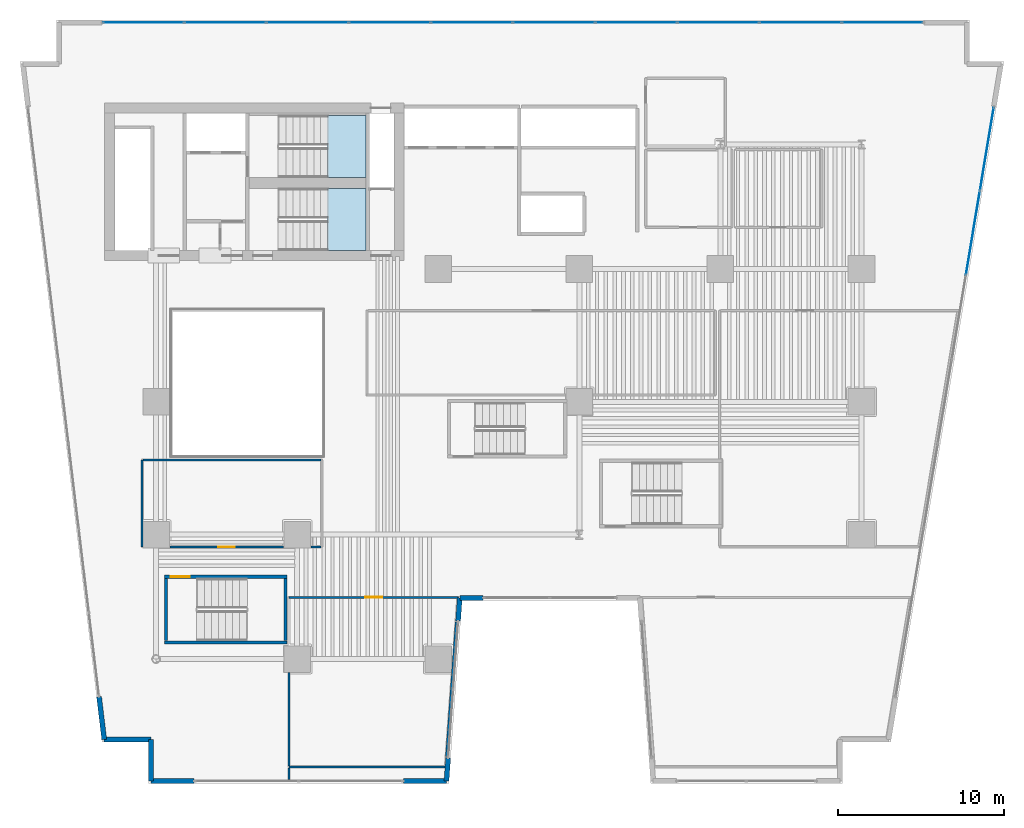
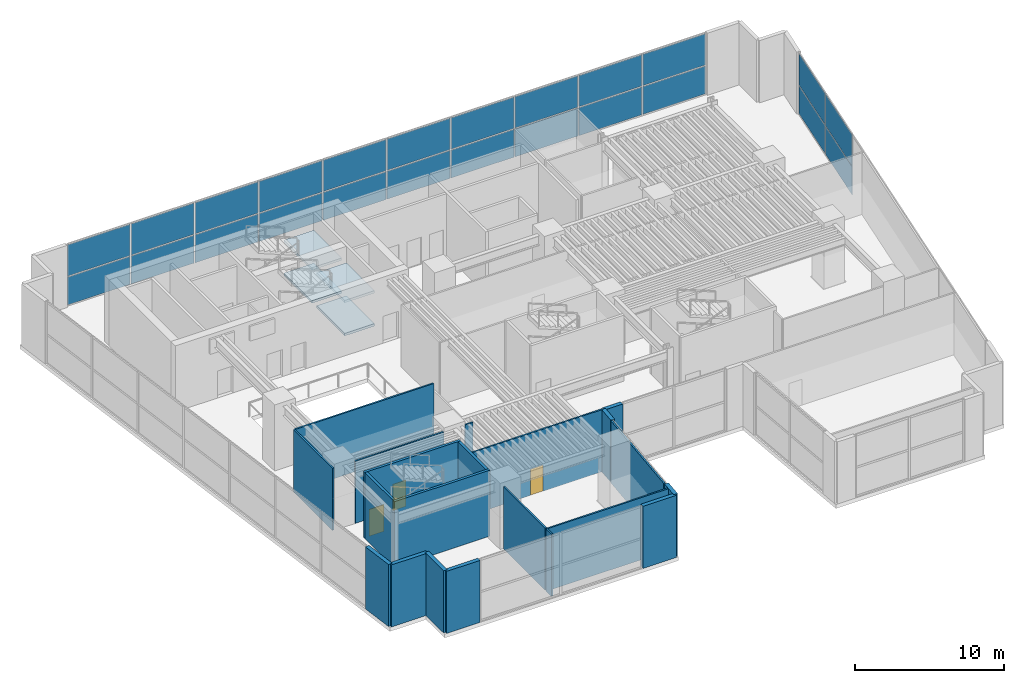
# One storey, part 8 of 16: 24 plates, 21 walls, 4 slabs, 3 doors, 3 openings, 4 elements without a shape of their own.
"""IFC4 building model written with IfcOpenShell, lengths in metres."""

import ifcopenshell
import ifcopenshell.guid

model = None  # the IFC model being written
_history = None  # IfcOwnerHistory: only IFC2X3 demands one
_inside = {}  # id of a spatial element -> (the spatial element, [elements in it])
_under = {}  # id of a project, library or spatial element -> (it, [spatial elements below it])
_declared = {}  # id of a project -> (the project, [libraries it declares])
_typed = {}  # id of a type object -> (the type object, [elements of that type])
_made_of = {}  # id of a material, layer set ... -> (it, [elements and type objects made of it])


def new_model(schema):
    """Start an empty IFC model of exactly this schema.

    Asked for "IFC4X3", IfcOpenShell would pick the latest addendum, in which some entities
    have other attributes; the version numbers below select the first issue.
    IFC2X3 requires an IfcOwnerHistory on every rooted entity: one is made here for all.
    """
    global model, _history
    if schema == "IFC4X3":
        model = ifcopenshell.file(schema_version=(4, 3, 0, 0))
    else:
        model = ifcopenshell.file(schema=schema)
    _inside.clear()
    _under.clear()
    _declared.clear()
    _typed.clear()
    _made_of.clear()
    _history = None
    if model.schema == "IFC2X3":
        org = make("IfcOrganization", Name="unknown")
        user = make(
            "IfcPersonAndOrganization",
            ThePerson=make("IfcPerson", FamilyName="unknown"),
            TheOrganization=org,
        )
        app = make(
            "IfcApplication",
            ApplicationDeveloper=org,
            Version="unknown",
            ApplicationFullName="unknown",
            ApplicationIdentifier="unknown",
        )
        _history = make(
            "IfcOwnerHistory",
            OwningUser=user,
            OwningApplication=app,
            ChangeAction="ADDED",
            CreationDate=0,
        )
    return model


def make(cls, **values):
    """One entity of the class cls with the attributes given. An attribute that is None is left unset."""
    return model.create_entity(
        cls, **{name: value for name, value in values.items() if value is not None}
    )


def rooted(cls, **values):
    """An entity with a GlobalId (a new one), such as an element, a storey or a relation."""
    return make(cls, GlobalId=ifcopenshell.guid.new(), OwnerHistory=_history, **values)


def si_unit(unit_type, name, prefix=None):
    """IfcSIUnit, for example si_unit("LENGTHUNIT", "METRE", prefix="MILLI")."""
    return make("IfcSIUnit", UnitType=unit_type, Prefix=prefix, Name=name)


def assignment(units):
    """IfcUnitAssignment: the units of a project."""
    return None if units is None else make("IfcUnitAssignment", Units=units)


def point(xyz):
    """IfcCartesianPoint."""
    return None if xyz is None else make("IfcCartesianPoint", Coordinates=xyz)


def direction(xyz):
    """IfcDirection."""
    return None if xyz is None else make("IfcDirection", DirectionRatios=xyz)


def frame(location, z_axis=None, x_axis=None):
    """IfcAxis2Placement3D, a coordinate frame: its origin and axes. An axis left out is left unset."""
    return make(
        "IfcAxis2Placement3D",
        Location=point(location),
        Axis=direction(z_axis),
        RefDirection=direction(x_axis),
    )


def frame_2d(location, x_axis=None):
    """IfcAxis2Placement2D, a coordinate frame in the plane: its origin and x axis."""
    return make(
        "IfcAxis2Placement2D", Location=point(location), RefDirection=direction(x_axis)
    )


def origin():
    """The frame at (0, 0, 0) with its axes left unset."""
    return frame((0.0, 0.0, 0.0))


def origin_2d():
    """The frame at (0, 0) in the plane with its x axis left unset."""
    return frame_2d((0.0, 0.0))


def place(relative_to, where):
    """IfcLocalPlacement: puts the frame where relative to a parent placement (None: the world)."""
    return make(
        "IfcLocalPlacement", PlacementRelTo=relative_to, RelativePlacement=where
    )


def context(
    kind, dimensions, precision=None, world=None, true_north=None, identifier=None
):
    """IfcGeometricRepresentationContext, for example the 3D "Model" context."""
    return make(
        "IfcGeometricRepresentationContext",
        ContextIdentifier=identifier,
        ContextType=kind,
        CoordinateSpaceDimension=dimensions,
        Precision=precision,
        WorldCoordinateSystem=world,
        TrueNorth=true_north,
    )


def subcontext(parent, identifier, kind, view, scale=None):
    """IfcGeometricRepresentationSubContext, for example "Body" below "Model"."""
    return make(
        "IfcGeometricRepresentationSubContext",
        ContextIdentifier=identifier,
        ContextType=kind,
        ParentContext=parent,
        TargetScale=scale,
        TargetView=view,
    )


def project(units=None, contexts=None):
    """IfcProject with its units and contexts."""
    return rooted(
        "IfcProject",
        Name="project",
        RepresentationContexts=contexts,
        UnitsInContext=assignment(units),
    )


def spatial(cls, under=None, at=None, **own):
    """A site, building, storey or space (cls), placed at a placement, below another one or the project."""
    s = rooted(cls, ObjectPlacement=at, **own)
    if under is not None:
        _under.setdefault(under.id(), (under, []))[1].append(s)
    return s


def polyline(points):
    """IfcPolyline through the points."""
    return make("IfcPolyline", Points=[point(p) for p in points])


def profile(cls, at=None, kind="AREA", **sizes):
    """A parametric profile (cls). Its sizes go by their IFC names, for example OverallWidth=200.0."""
    return make(cls, ProfileType=kind, Position=at, **sizes)


def rectangle(**sizes):
    """IfcRectangleProfileDef."""
    return profile("IfcRectangleProfileDef", **sizes)


def outline(outer, holes=None, kind="AREA"):
    """IfcArbitraryClosedProfileDef: a profile drawn as a closed curve; with holes, ...WithVoids."""
    if holes is None:
        return make("IfcArbitraryClosedProfileDef", ProfileType=kind, OuterCurve=outer)
    return make(
        "IfcArbitraryProfileDefWithVoids",
        ProfileType=kind,
        OuterCurve=outer,
        InnerCurves=holes,
    )


def extrude(swept, where, along, depth):
    """IfcExtrudedAreaSolid: the profile swept, set in the frame where, extruded along a direction by depth."""
    return make(
        "IfcExtrudedAreaSolid",
        SweptArea=swept,
        Position=where,
        ExtrudedDirection=direction(along),
        Depth=depth,
    )


def shape(context_of_items, identifier, shape_type, items):
    """IfcShapeRepresentation: the items that make up one representation, for example the "Body"."""
    return make(
        "IfcShapeRepresentation",
        ContextOfItems=context_of_items,
        RepresentationIdentifier=identifier,
        RepresentationType=shape_type,
        Items=items,
    )


def material(Name=None, Category=None):
    """IfcMaterial."""
    return make("IfcMaterial", Name=Name, Category=Category)


def layer(
    of_material, thickness, ventilated=None, Name=None, Category=None, Priority=None
):
    """IfcMaterialLayer: one layer of a wall or slab, of a material (None: an air gap)."""
    return make(
        "IfcMaterialLayer",
        Material=of_material,
        LayerThickness=thickness,
        IsVentilated=ventilated,
        Name=Name,
        Category=Category,
        Priority=Priority,
    )


def layer_set(layers, Name=None):
    """IfcMaterialLayerSet."""
    return make("IfcMaterialLayerSet", MaterialLayers=layers, LayerSetName=Name)


def made_of(thing, what):
    """Note that an element or type object is made of a material, layer set ...; save() writes the relation."""
    if what is not None:
        _made_of.setdefault(what.id(), (what, []))[1].append(thing)
    return thing


def type_object(cls, material=None, **own):
    """A type object (cls), such as IfcWallType, which elements share."""
    return made_of(rooted(cls, **own), material)


def element(
    cls,
    number,
    at=None,
    inside=None,
    cuts=None,
    type_object=None,
    material=None,
    context=None,
    identifier="Body",
    shape_type=None,
    held_by="IfcProductDefinitionShape",
    body=None,
    shapes=None,
    **own,
):
    """One element of the class cls, such as IfcWall. Its Tag is "e" and its number.

    at: its placement. inside: the storey or other place that contains it. cuts: it is an
    opening in that element (IfcRelVoidsElement). A single representation is given by context,
    identifier, shape_type and body (its items); several are given by shapes. held_by: the class
    of the entity that holds the representations. save() writes the other relations.
    """
    e = rooted(cls, Tag="e%d" % number, ObjectPlacement=at, **own)
    if body is not None:
        shapes = [shape(context, identifier, shape_type, body)]
    if shapes is not None:
        e.Representation = make(held_by, Representations=shapes)
    if inside is not None:
        _inside.setdefault(inside.id(), (inside, []))[1].append(e)
    if cuts is not None:
        rooted(
            "IfcRelVoidsElement", RelatingBuildingElement=cuts, RelatedOpeningElement=e
        )
    if type_object is not None:
        _typed.setdefault(type_object.id(), (type_object, []))[1].append(e)
    return made_of(e, material)


def fill(opening, filler):
    """IfcRelFillsElement: the door or window that sits in an opening."""
    return rooted(
        "IfcRelFillsElement",
        RelatingOpeningElement=opening,
        RelatedBuildingElement=filler,
    )


def aggregate(whole, parts):
    """IfcRelAggregates: a whole, such as a stair, and the parts it consists of."""
    return rooted("IfcRelAggregates", RelatingObject=whole, RelatedObjects=parts)


def save(model, path):
    """Write the relations noted so far, then the file.

    IfcRelAggregates (storeys below a building ...), IfcRelContainedInSpatialStructure (elements
    in a storey), IfcRelDefinesByType, IfcRelAssociatesMaterial and IfcRelDeclares: one each for
    every whole, place, type object, material and project.
    """
    for whole, parts in _under.values():
        aggregate(whole, parts)
    for where, things in _inside.values():
        rooted(
            "IfcRelContainedInSpatialStructure",
            RelatedElements=things,
            RelatingStructure=where,
        )
    for kind, things in _typed.values():
        rooted("IfcRelDefinesByType", RelatedObjects=things, RelatingType=kind)
    for what, things in _made_of.values():
        rooted("IfcRelAssociatesMaterial", RelatedObjects=things, RelatingMaterial=what)
    for by, libraries in _declared.values():
        rooted("IfcRelDeclares", RelatingContext=by, RelatedDefinitions=libraries)
    model.write(path)


model = new_model("IFC4")

# Units and contexts
model_context = context("Model", 3, precision=1e-05, world=origin(), true_north=direction((0.0, 1.0)))
body_context = subcontext(model_context, "Body", "Model", "MODEL_VIEW")
ifc_project = project(units=[si_unit("LENGTHUNIT", "METRE"), si_unit("AREAUNIT", "SQUARE_METRE"), si_unit("VOLUMEUNIT", "CUBIC_METRE"), si_unit("PLANEANGLEUNIT", "RADIAN"), si_unit("MASSUNIT", "GRAM", prefix="KILO")], contexts=[model_context])

# Site, building, storey
site_placement = place(None, origin())
site = spatial("IfcSite", under=ifc_project, at=site_placement, CompositionType="ELEMENT")
building_placement = place(site_placement, origin())
building = spatial("IfcBuilding", under=site, at=building_placement, Name="Caeloran Harvest Quay", CompositionType="ELEMENT")
storey_placement = place(building_placement, frame((0.0, 0.0, 10.800048828125)))
storey = spatial("IfcBuildingStorey", under=building, at=storey_placement, Name="L03", CompositionType="ELEMENT", Elevation=10.800048828125)

# Curtain wall, plates
ifc_material_1 = material(Name="Aluminium 6063-T6 and Low-E Glazing", Category="aluminium")
ifc_layer_1 = layer(ifc_material_1, 0.179931640625, Name="Aluminium 6063-T6 and Low-E Glazing")
ifc_layer_set_1 = layer_set([ifc_layer_1], Name="Aluminium 6063-T6 and Low-E Glazing")
curtain_wall_type = type_object("IfcCurtainWallType", Name="CW-SYS-CW-1", PredefinedType="USERDEFINED", material=ifc_layer_set_1)
curtain_wall_1_placement = place(storey_placement, origin())
curtain_wall_1 = element("IfcCurtainWall", 1, at=curtain_wall_1_placement, inside=storey, type_object=curtain_wall_type, Name="L03 Unitised Curtain Wall CW-1 Run 6", ObjectType="CURTAIN_WALL", PredefinedType="USERDEFINED")
ifc_material_2 = material(Name="Low-E Double Glazed Vision Glass Unit", Category="glass")
ifc_layer_2 = layer(ifc_material_2, 0.035888671875, Name="Low-E Double Glazed Vision Glass Unit")
ifc_layer_set_2 = layer_set([ifc_layer_2], Name="Low-E Double Glazed Vision Glass Unit")
plate_type = type_object("IfcPlateType", Name="CW-VISION-PANEL", PredefinedType="CURTAIN_PANEL", material=ifc_layer_set_2)
plate_1_placement = place(storey_placement, frame((7.7451171875, 45.85009765625, 0.080078125), z_axis=(0.0, 0.0, 1.0), x_axis=(1.0, 0.0, 0.0)))
plate_1 = element("IfcPlate", 2, at=plate_1_placement, type_object=plate_type, Name="CW-1 panel 1.1", PredefinedType="CURTAIN_PANEL", context=body_context, shape_type="SweptSolid", body=[
    extrude(rectangle(XDim=4.830078125, YDim=0.035888671875, at=origin_2d()), origin(), (0.0, 0.0, 1.0), 2.280029296875),
])
plate_2_placement = place(storey_placement, frame((7.7451171875, 45.85009765625, 2.43994140625), z_axis=(0.0, 0.0, 1.0), x_axis=(1.0, 0.0, 0.0)))
plate_2 = element("IfcPlate", 3, at=plate_2_placement, type_object=plate_type, Name="CW-1 panel 1.2", PredefinedType="CURTAIN_PANEL", context=body_context, shape_type="SweptSolid", body=[
    extrude(rectangle(XDim=4.830078125, YDim=0.035888671875, at=origin_2d()), origin(), (0.0, 0.0, 1.0), 2.56005859375),
])
plate_3_placement = place(storey_placement, frame((12.675048828125, 45.85009765625, 0.080078125), z_axis=(0.0, 0.0, 1.0), x_axis=(1.0, 0.0, 0.0)))
plate_3 = element("IfcPlate", 4, at=plate_3_placement, type_object=plate_type, Name="CW-1 panel 2.1", PredefinedType="CURTAIN_PANEL", context=body_context, shape_type="SweptSolid", body=[
    extrude(rectangle(XDim=4.8701171875, YDim=0.035888671875, at=origin_2d()), origin(), (0.0, 0.0, 1.0), 2.280029296875),
])
plate_4_placement = place(storey_placement, frame((12.675048828125, 45.85009765625, 2.43994140625), z_axis=(0.0, 0.0, 1.0), x_axis=(1.0, 0.0, 0.0)))
plate_4 = element("IfcPlate", 5, at=plate_4_placement, type_object=plate_type, Name="CW-1 panel 2.2", PredefinedType="CURTAIN_PANEL", context=body_context, shape_type="SweptSolid", body=[
    extrude(rectangle(XDim=4.8701171875, YDim=0.035888671875, at=origin_2d()), origin(), (0.0, 0.0, 1.0), 2.56005859375),
])
plate_5_placement = place(storey_placement, frame((17.625, 45.85009765625, 0.080078125), z_axis=(0.0, 0.0, 1.0), x_axis=(1.0, 0.0, 0.0)))
plate_5 = element("IfcPlate", 6, at=plate_5_placement, type_object=plate_type, Name="CW-1 panel 3.1", PredefinedType="CURTAIN_PANEL", context=body_context, shape_type="SweptSolid", body=[
    extrude(rectangle(XDim=4.8701171875, YDim=0.035888671875, at=origin_2d()), origin(), (0.0, 0.0, 1.0), 2.280029296875),
])
plate_6_placement = place(storey_placement, frame((17.625, 45.85009765625, 2.43994140625), z_axis=(0.0, 0.0, 1.0), x_axis=(1.0, 0.0, 0.0)))
plate_6 = element("IfcPlate", 7, at=plate_6_placement, type_object=plate_type, Name="CW-1 panel 3.2", PredefinedType="CURTAIN_PANEL", context=body_context, shape_type="SweptSolid", body=[
    extrude(rectangle(XDim=4.8701171875, YDim=0.035888671875, at=origin_2d()), origin(), (0.0, 0.0, 1.0), 2.56005859375),
])
plate_7_placement = place(storey_placement, frame((22.574951171875, 45.85009765625, 0.080078125), z_axis=(0.0, 0.0, 1.0), x_axis=(1.0, 0.0, 0.0)))
plate_7 = element("IfcPlate", 8, at=plate_7_placement, type_object=plate_type, Name="CW-1 panel 4.1", PredefinedType="CURTAIN_PANEL", context=body_context, shape_type="SweptSolid", body=[
    extrude(rectangle(XDim=4.8701171875, YDim=0.035888671875, at=origin_2d()), origin(), (0.0, 0.0, 1.0), 2.280029296875),
])
plate_8_placement = place(storey_placement, frame((22.574951171875, 45.85009765625, 2.43994140625), z_axis=(0.0, 0.0, 1.0), x_axis=(1.0, 0.0, 0.0)))
plate_8 = element("IfcPlate", 9, at=plate_8_placement, type_object=plate_type, Name="CW-1 panel 4.2", PredefinedType="CURTAIN_PANEL", context=body_context, shape_type="SweptSolid", body=[
    extrude(rectangle(XDim=4.8701171875, YDim=0.035888671875, at=origin_2d()), origin(), (0.0, 0.0, 1.0), 2.56005859375),
])
plate_9_placement = place(storey_placement, frame((27.52490234375, 45.85009765625, 0.080078125), z_axis=(0.0, 0.0, 1.0), x_axis=(1.0, 0.0, 0.0)))
plate_9 = element("IfcPlate", 10, at=plate_9_placement, type_object=plate_type, Name="CW-1 panel 5.1", PredefinedType="CURTAIN_PANEL", context=body_context, shape_type="SweptSolid", body=[
    extrude(rectangle(XDim=4.8701171875, YDim=0.035888671875, at=origin_2d()), origin(), (0.0, 0.0, 1.0), 2.280029296875),
])
plate_10_placement = place(storey_placement, frame((27.52490234375, 45.85009765625, 2.43994140625), z_axis=(0.0, 0.0, 1.0), x_axis=(1.0, 0.0, 0.0)))
plate_10 = element("IfcPlate", 11, at=plate_10_placement, type_object=plate_type, Name="CW-1 panel 5.2", PredefinedType="CURTAIN_PANEL", context=body_context, shape_type="SweptSolid", body=[
    extrude(rectangle(XDim=4.8701171875, YDim=0.035888671875, at=origin_2d()), origin(), (0.0, 0.0, 1.0), 2.56005859375),
])
plate_11_placement = place(storey_placement, frame((32.47509765625, 45.85009765625, 0.080078125), z_axis=(0.0, 0.0, 1.0), x_axis=(1.0, 0.0, 0.0)))
plate_11 = element("IfcPlate", 12, at=plate_11_placement, type_object=plate_type, Name="CW-1 panel 6.1", PredefinedType="CURTAIN_PANEL", context=body_context, shape_type="SweptSolid", body=[
    extrude(rectangle(XDim=4.8701171875, YDim=0.035888671875, at=origin_2d()), origin(), (0.0, 0.0, 1.0), 2.280029296875),
])
plate_12_placement = place(storey_placement, frame((32.47509765625, 45.85009765625, 2.43994140625), z_axis=(0.0, 0.0, 1.0), x_axis=(1.0, 0.0, 0.0)))
plate_12 = element("IfcPlate", 13, at=plate_12_placement, type_object=plate_type, Name="CW-1 panel 6.2", PredefinedType="CURTAIN_PANEL", context=body_context, shape_type="SweptSolid", body=[
    extrude(rectangle(XDim=4.8701171875, YDim=0.035888671875, at=origin_2d()), origin(), (0.0, 0.0, 1.0), 2.56005859375),
])
plate_13_placement = place(storey_placement, frame((37.425048828125, 45.85009765625, 0.080078125), z_axis=(0.0, 0.0, 1.0), x_axis=(1.0, 0.0, 0.0)))
plate_13 = element("IfcPlate", 14, at=plate_13_placement, type_object=plate_type, Name="CW-1 panel 7.1", PredefinedType="CURTAIN_PANEL", context=body_context, shape_type="SweptSolid", body=[
    extrude(rectangle(XDim=4.8701171875, YDim=0.035888671875, at=origin_2d()), origin(), (0.0, 0.0, 1.0), 2.280029296875),
])
plate_14_placement = place(storey_placement, frame((37.425048828125, 45.85009765625, 2.43994140625), z_axis=(0.0, 0.0, 1.0), x_axis=(1.0, 0.0, 0.0)))
plate_14 = element("IfcPlate", 15, at=plate_14_placement, type_object=plate_type, Name="CW-1 panel 7.2", PredefinedType="CURTAIN_PANEL", context=body_context, shape_type="SweptSolid", body=[
    extrude(rectangle(XDim=4.8701171875, YDim=0.035888671875, at=origin_2d()), origin(), (0.0, 0.0, 1.0), 2.56005859375),
])
plate_15_placement = place(storey_placement, frame((42.375, 45.85009765625, 0.080078125), z_axis=(0.0, 0.0, 1.0), x_axis=(1.0, 0.0, 0.0)))
plate_15 = element("IfcPlate", 16, at=plate_15_placement, type_object=plate_type, Name="CW-1 panel 8.1", PredefinedType="CURTAIN_PANEL", context=body_context, shape_type="SweptSolid", body=[
    extrude(rectangle(XDim=4.8701171875, YDim=0.035888671875, at=origin_2d()), origin(), (0.0, 0.0, 1.0), 2.280029296875),
])
plate_16_placement = place(storey_placement, frame((42.375, 45.85009765625, 2.43994140625), z_axis=(0.0, 0.0, 1.0), x_axis=(1.0, 0.0, 0.0)))
plate_16 = element("IfcPlate", 17, at=plate_16_placement, type_object=plate_type, Name="CW-1 panel 8.2", PredefinedType="CURTAIN_PANEL", context=body_context, shape_type="SweptSolid", body=[
    extrude(rectangle(XDim=4.8701171875, YDim=0.035888671875, at=origin_2d()), origin(), (0.0, 0.0, 1.0), 2.56005859375),
])
plate_17_placement = place(storey_placement, frame((47.324951171875, 45.85009765625, 0.080078125), z_axis=(0.0, 0.0, 1.0), x_axis=(1.0, 0.0, 0.0)))
plate_17 = element("IfcPlate", 18, at=plate_17_placement, type_object=plate_type, Name="CW-1 panel 9.1", PredefinedType="CURTAIN_PANEL", context=body_context, shape_type="SweptSolid", body=[
    extrude(rectangle(XDim=4.8701171875, YDim=0.035888671875, at=origin_2d()), origin(), (0.0, 0.0, 1.0), 2.280029296875),
])
plate_18_placement = place(storey_placement, frame((47.324951171875, 45.85009765625, 2.43994140625), z_axis=(0.0, 0.0, 1.0), x_axis=(1.0, 0.0, 0.0)))
plate_18 = element("IfcPlate", 19, at=plate_18_placement, type_object=plate_type, Name="CW-1 panel 9.2", PredefinedType="CURTAIN_PANEL", context=body_context, shape_type="SweptSolid", body=[
    extrude(rectangle(XDim=4.8701171875, YDim=0.035888671875, at=origin_2d()), origin(), (0.0, 0.0, 1.0), 2.56005859375),
])
plate_19_placement = place(storey_placement, frame((52.2548828125, 45.85009765625, 0.080078125), z_axis=(0.0, 0.0, 1.0), x_axis=(1.0, 0.0, 0.0)))
plate_19 = element("IfcPlate", 20, at=plate_19_placement, type_object=plate_type, Name="CW-1 panel 10.1", PredefinedType="CURTAIN_PANEL", context=body_context, shape_type="SweptSolid", body=[
    extrude(rectangle(XDim=4.830078125, YDim=0.035888671875, at=origin_2d()), origin(), (0.0, 0.0, 1.0), 2.280029296875),
])
plate_20_placement = place(storey_placement, frame((52.2548828125, 45.85009765625, 2.43994140625), z_axis=(0.0, 0.0, 1.0), x_axis=(1.0, 0.0, 0.0)))
plate_20 = element("IfcPlate", 21, at=plate_20_placement, type_object=plate_type, Name="CW-1 panel 10.2", PredefinedType="CURTAIN_PANEL", context=body_context, shape_type="SweptSolid", body=[
    extrude(rectangle(XDim=4.830078125, YDim=0.035888671875, at=origin_2d()), origin(), (0.0, 0.0, 1.0), 2.56005859375),
])
aggregate(curtain_wall_1, [plate_1, plate_2, plate_3, plate_4, plate_5, plate_6, plate_7, plate_8, plate_9, plate_10, plate_11, plate_12, plate_13, plate_14, plate_15, plate_16, plate_17, plate_18, plate_19, plate_20])

curtain_wall_2_placement = place(storey_placement, origin())
curtain_wall_2 = element("IfcCurtainWall", 22, at=curtain_wall_2_placement, inside=storey, type_object=curtain_wall_type, Name="L03 Unitised Curtain Wall CW-1 Run 9", ObjectType="CURTAIN_WALL", PredefinedType="USERDEFINED")
plate_21_placement = place(storey_placement, frame((58.553955078125, 38.224853515625, 0.080078125), z_axis=(0.0, 0.0, 1.0), x_axis=(-0.164174131837, -0.986431373404, 0.0)))
plate_21 = element("IfcPlate", 23, at=plate_21_placement, type_object=plate_type, Name="CW-1 panel 1.1", PredefinedType="CURTAIN_PANEL", context=body_context, shape_type="SweptSolid", body=[
    extrude(rectangle(XDim=5.031494140625, YDim=0.035888671875, at=origin_2d()), origin(), (0.0, 0.0, 1.0), 2.280029296875),
])
plate_22_placement = place(storey_placement, frame((58.553955078125, 38.224853515625, 2.43994140625), z_axis=(0.0, 0.0, 1.0), x_axis=(-0.164174131837, -0.986431373404, 0.0)))
plate_22 = element("IfcPlate", 24, at=plate_22_placement, type_object=plate_type, Name="CW-1 panel 1.2", PredefinedType="CURTAIN_PANEL", context=body_context, shape_type="SweptSolid", body=[
    extrude(rectangle(XDim=5.031494140625, YDim=0.035888671875, at=origin_2d()), origin(), (0.0, 0.0, 1.0), 2.56005859375),
])
plate_23_placement = place(storey_placement, frame((57.71142578125, 33.1630859375, 0.080078125), z_axis=(0.0, 0.0, 1.0), x_axis=(-0.164174131837, -0.986431373404, 0.0)))
plate_23 = element("IfcPlate", 25, at=plate_23_placement, type_object=plate_type, Name="CW-1 panel 2.1", PredefinedType="CURTAIN_PANEL", context=body_context, shape_type="SweptSolid", body=[
    extrude(rectangle(XDim=5.071533203125, YDim=0.035888671875, at=origin_2d()), origin(), (0.0, 0.0, 1.0), 2.280029296875),
])
plate_24_placement = place(storey_placement, frame((57.71142578125, 33.1630859375, 2.43994140625), z_axis=(0.0, 0.0, 1.0), x_axis=(-0.164174131837, -0.986431373404, 0.0)))
plate_24 = element("IfcPlate", 26, at=plate_24_placement, type_object=plate_type, Name="CW-1 panel 2.2", PredefinedType="CURTAIN_PANEL", context=body_context, shape_type="SweptSolid", body=[
    extrude(rectangle(XDim=5.071533203125, YDim=0.035888671875, at=origin_2d()), origin(), (0.0, 0.0, 1.0), 2.56005859375),
])
aggregate(curtain_wall_2, [plate_21, plate_22, plate_23, plate_24])

# Stair, slabs
ifc_material_3 = material(Name="Concrete C50/60", Category="concrete")
stair_type = type_object("IfcStairType", Name="STAIR-STC-180", PredefinedType="HALF_TURN_STAIR", material=ifc_material_3)
stair_1_placement = place(storey_placement, origin())
stair_1 = element("IfcStair", 27, at=stair_1_placement, inside=storey, type_object=stair_type, Name="L03 Core Pressurized Exit Stair ST-C1", PredefinedType="HALF_TURN_STAIR")
ifc_layer_3 = layer(ifc_material_3, 0.219970703125, Name="Concrete C50/60")
ifc_layer_set_3 = layer_set([ifc_layer_3], Name="Concrete C50/60")
slab_type = type_object("IfcSlabType", Name="STAIR-LANDING-220", PredefinedType="LANDING", material=ifc_layer_set_3)
slab_1_placement = place(storey_placement, frame((0.0, 0.0, 1.14990234375)))
slab_1 = element("IfcSlab", 28, at=slab_1_placement, type_object=slab_type, Name="ST-C1 landing 1", PredefinedType="LANDING", context=body_context, shape_type="SweptSolid", body=[
    extrude(outline(polyline([(18.840087890625, 36.5), (21.14990234375, 36.5), (21.14990234375, 40.25), (18.840087890625, 40.25), (18.840087890625, 36.5)])), origin(), (0.0, 0.0, 1.0), 0.199951171875),
])
slab_2_placement = place(storey_placement, frame((0.0, 0.0, 3.849853515625)))
slab_2 = element("IfcSlab", 29, at=slab_2_placement, type_object=slab_type, Name="ST-C1 landing 3", PredefinedType="LANDING", context=body_context, shape_type="SweptSolid", body=[
    extrude(outline(polyline([(18.840087890625, 36.5), (21.14990234375, 36.5), (21.14990234375, 40.25), (18.840087890625, 40.25), (18.840087890625, 36.5)])), origin(), (0.0, 0.0, 1.0), 0.2001953125),
])
aggregate(stair_1, [slab_1, slab_2])

stair_2_placement = place(storey_placement, origin())
stair_2 = element("IfcStair", 30, at=stair_2_placement, inside=storey, type_object=stair_type, Name="L03 Core Pressurized Exit Stair ST-C2", PredefinedType="HALF_TURN_STAIR")
slab_3_placement = place(storey_placement, frame((0.0, 0.0, 1.14990234375)))
slab_3 = element("IfcSlab", 31, at=slab_3_placement, type_object=slab_type, Name="ST-C2 landing 1", PredefinedType="LANDING", context=body_context, shape_type="SweptSolid", body=[
    extrude(outline(polyline([(18.840087890625, 32.10009765625), (21.14990234375, 32.10009765625), (21.14990234375, 35.85009765625), (18.840087890625, 35.85009765625), (18.840087890625, 32.10009765625)])), origin(), (0.0, 0.0, 1.0), 0.199951171875),
])
slab_4_placement = place(storey_placement, frame((0.0, 0.0, 3.849853515625)))
slab_4 = element("IfcSlab", 32, at=slab_4_placement, type_object=slab_type, Name="ST-C2 landing 3", PredefinedType="LANDING", context=body_context, shape_type="SweptSolid", body=[
    extrude(outline(polyline([(18.840087890625, 32.10009765625), (21.14990234375, 32.10009765625), (21.14990234375, 35.85009765625), (18.840087890625, 35.85009765625), (18.840087890625, 32.10009765625)])), origin(), (0.0, 0.0, 1.0), 0.2001953125),
])
aggregate(stair_2, [slab_3, slab_4])

# Walls
ifc_material_4 = material(Name="Precast concrete C50/60", Category="concrete")
ifc_layer_4 = layer(ifc_material_4, 0.300048828125, Name="Precast concrete C50/60")
ifc_layer_set_4 = layer_set([ifc_layer_4], Name="Precast concrete C50/60")
wall_type_1 = type_object("IfcWallType", Name="ENV-WALL-EW-300", PredefinedType="STANDARD", material=ifc_layer_set_4)
wall_1_placement = place(storey_placement, frame((8.194091796875, 0.14990234375, 0.0), z_axis=(0.0, 0.0, 1.0), x_axis=(0.0, 1.0, 0.0)))
element("IfcWall", 33, at=wall_1_placement, inside=storey, type_object=wall_type_1, Name="L03 Exterior Precast Concrete Facade Wall 1", PredefinedType="STANDARD", context=body_context, shape_type="SweptSolid", body=[
    extrude(rectangle(XDim=2.5, YDim=0.300048828125, at=frame_2d((1.25, 0.0))), origin(), (0.0, 0.0, 1.0), 5.079833984375),
])
wall_2_placement = place(storey_placement, frame((8.194091796875, 2.64990234375, 0.0), z_axis=(0.0, 0.0, 1.0), x_axis=(-1.0, 0.0, 0.0)))
element("IfcWall", 34, at=wall_2_placement, inside=storey, type_object=wall_type_1, Name="L03 Exterior Precast Concrete Facade Wall 2", PredefinedType="STANDARD", context=body_context, shape_type="SweptSolid", body=[
    extrude(rectangle(XDim=2.818359375, YDim=0.300048828125, at=frame_2d((1.4091796875, 0.0))), origin(), (0.0, 0.0, 1.0), 5.079833984375),
])
wall_3_placement = place(storey_placement, frame((5.375732421875, 2.64990234375, 0.0), z_axis=(0.0, 0.0, 1.0), x_axis=(-0.119630264411, 0.992818513041, 0.0)))
element("IfcWall", 35, at=wall_3_placement, inside=storey, type_object=wall_type_1, Name="L03 Exterior Facade Corner Pier Wall 3A", PredefinedType="STANDARD", context=body_context, shape_type="SweptSolid", body=[
    extrude(rectangle(XDim=2.599853515625, YDim=0.300048828125, at=frame_2d((1.2998046875, 0.0))), origin(), (0.0, 0.0, 1.0), 5.079833984375),
])
wall_4_placement = place(storey_placement, frame((28.196533203125, 11.18994140625, 0.0), z_axis=(0.0, 0.0, 1.0), x_axis=(-1.0, 0.0, 0.0)))
element("IfcWall", 36, at=wall_4_placement, inside=storey, type_object=wall_type_1, Name="L03 Exterior Facade Corner Pier Wall 14B", PredefinedType="STANDARD", context=body_context, shape_type="SweptSolid", body=[
    extrude(rectangle(XDim=1.400146484375, YDim=0.300048828125, at=frame_2d((0.7001953125, 0.0))), origin(), (0.0, 0.0, 1.0), 5.079833984375),
])
wall_5_placement = place(storey_placement, frame((26.79638671875, 11.18994140625, 0.0), z_axis=(0.0, 0.0, 1.0), x_axis=(-0.072201344972, -0.997390077043, 0.0)))
element("IfcWall", 37, at=wall_5_placement, inside=storey, type_object=wall_type_1, Name="L03 Exterior Facade Corner Pier Wall 15A", PredefinedType="STANDARD", context=body_context, shape_type="SweptSolid", body=[
    extrude(rectangle(XDim=1.39990234375, YDim=0.300048828125, at=frame_2d((0.699951171875, 0.0))), origin(), (0.0, 0.0, 1.0), 5.079833984375),
])
wall_6_placement = place(storey_placement, frame((26.09765625, 1.54638671875, 0.0), z_axis=(0.0, 0.0, 1.0), x_axis=(-0.072188788144, -0.997390985956, 0.0)))
element("IfcWall", 38, at=wall_6_placement, inside=storey, type_object=wall_type_1, Name="L03 Exterior Facade Corner Pier Wall 15B", PredefinedType="STANDARD", context=body_context, shape_type="SweptSolid", body=[
    extrude(rectangle(XDim=1.400146484375, YDim=0.300048828125, at=frame_2d((0.7001953125, 0.0))), origin(), (0.0, 0.0, 1.0), 5.079833984375),
])
wall_7_placement = place(storey_placement, frame((25.99658203125, 0.14990234375, 0.0), z_axis=(0.0, 0.0, 1.0), x_axis=(-1.0, 0.0, 0.0)))
element("IfcWall", 39, at=wall_7_placement, inside=storey, type_object=wall_type_1, Name="L03 Exterior Facade Corner Pier Wall 16A", PredefinedType="STANDARD", context=body_context, shape_type="SweptSolid", body=[
    extrude(rectangle(XDim=2.60009765625, YDim=0.300048828125, at=frame_2d((1.300048828125, 0.0))), origin(), (0.0, 0.0, 1.0), 5.079833984375),
])
wall_8_placement = place(storey_placement, frame((10.7939453125, 0.14990234375, 0.0), z_axis=(0.0, 0.0, 1.0), x_axis=(-1.0, 0.0, 0.0)))
element("IfcWall", 40, at=wall_8_placement, inside=storey, type_object=wall_type_1, Name="L03 Exterior Facade Corner Pier Wall 16B", PredefinedType="STANDARD", context=body_context, shape_type="SweptSolid", body=[
    extrude(rectangle(XDim=2.599853515625, YDim=0.300048828125, at=frame_2d((1.2998046875, 0.0))), origin(), (0.0, 0.0, 1.0), 5.079833984375),
])
ifc_material_5 = material(Name="Twin-Stud Mineral-Wool Acoustic Gypsum Partition", Category="gypsum")
ifc_layer_5 = layer(ifc_material_5, 0.125, Name="Twin-Stud Mineral-Wool Acoustic Gypsum Partition")
ifc_layer_set_5 = layer_set([ifc_layer_5], Name="Twin-Stud Mineral-Wool Acoustic Gypsum Partition")
wall_type_2 = type_object("IfcWallType", Name="INT-WALL-PW-125", PredefinedType="PARTITIONING", material=ifc_layer_set_5)
wall_9_placement = place(storey_placement, frame((18.4326171875, 14.25, 0.0), z_axis=(0.0, 0.0, 1.0), x_axis=(-1.0, 0.0, 0.0)))
element("IfcWall", 41, at=wall_9_placement, inside=storey, type_object=wall_type_2, Name="Harvest Banquet and Tasting Dining Hall Partition Wall", PredefinedType="PARTITIONING", context=body_context, shape_type="SweptSolid", body=[
    extrude(rectangle(XDim=0.607666015625, YDim=0.125, at=frame_2d((0.3037109375, 0.0))), origin(), (0.0, 0.0, 1.0), 5.079833984375),
])

# Wall, opening, door
wall_10_placement = place(storey_placement, frame((16.175048828125, 14.25, 0.0), z_axis=(0.0, 0.0, 1.0), x_axis=(-1.0, 0.0, 0.0)))
wall_10 = element("IfcWall", 42, at=wall_10_placement, inside=storey, type_object=wall_type_2, Name="Harvest Banquet and Tasting Dining Hall Partition Wall", PredefinedType="PARTITIONING", context=body_context, shape_type="SweptSolid", body=[
    extrude(rectangle(XDim=6.85009765625, YDim=0.125, at=frame_2d((3.425048828125, 0.0))), origin(), (0.0, 0.0, 1.0), 5.079833984375),
])
opening_1_placement = place(wall_10_placement, frame((2.925048828125, 0.0, 0.0)))
opening_1 = element("IfcOpeningElement", 43, at=opening_1_placement, cuts=wall_10, Name="Opening ID-01", PredefinedType="OPENING", context=body_context, shape_type="SweptSolid", body=[
    extrude(rectangle(XDim=1.0, YDim=2.14990234375, at=frame_2d((0.5, 1.074951171875))), frame((0.0, 0.072509765625, 0.0), z_axis=(0.0, -1.0, 0.0), x_axis=(1.0, 0.0, 0.0)), (0.0, 0.0, 1.0), 0.14501953125),
])
ifc_material_6 = material(Name="FSC Solid-Core Ash Timber and Acoustic Seal", Category="wood")
door_type_1 = type_object("IfcDoorType", Name="INTDOOR-ID-01", OperationType="NOTDEFINED", PredefinedType="DOOR", material=ifc_material_6)
door_1_placement = place(opening_1_placement, origin())
door_1 = element("IfcDoor", 44, at=door_1_placement, inside=storey, type_object=door_type_1, Name="Harvest Banquet and Tasting Dining Hall Access Door", OperationType="SINGLE_SWING_LEFT", OverallHeight=2.14990234375, OverallWidth=1.0, PredefinedType="DOOR", context=body_context, shape_type="SweptSolid", body=[
    extrude(rectangle(XDim=1.0, YDim=2.14990234375, at=frame_2d((0.5, 1.074951171875))), frame((0.0, 0.02490234375, 0.0), z_axis=(0.0, -1.0, 0.0), x_axis=(1.0, 0.0, 0.0)), (0.0, 0.0, 1.0), 0.050048828125),
])
fill(opening_1, door_1)

# Walls
wall_11_placement = place(storey_placement, frame((7.64990234375, 14.25, 0.0), z_axis=(0.0, 0.0, 1.0), x_axis=(0.0, 1.0, 0.0)))
element("IfcWall", 45, at=wall_11_placement, inside=storey, type_object=wall_type_2, Name="Harvest Banquet and Tasting Dining Hall Partition Wall", PredefinedType="PARTITIONING", context=body_context, shape_type="SweptSolid", body=[
    extrude(rectangle(XDim=5.25, YDim=0.125, at=frame_2d((2.625, 0.0))), origin(), (0.0, 0.0, 1.0), 5.079833984375),
])
wall_12_placement = place(storey_placement, frame((7.717529296875, 19.5, 0.0), z_axis=(0.0, 0.0, 1.0), x_axis=(1.0, 0.0, 0.0)))
element("IfcWall", 46, at=wall_12_placement, inside=storey, type_object=wall_type_2, Name="Harvest Banquet and Tasting Dining Hall Partition Wall", PredefinedType="PARTITIONING", context=body_context, shape_type="SweptSolid", body=[
    extrude(rectangle(XDim=10.715087890625, YDim=0.125, at=frame_2d((5.357421875, 0.0))), origin(), (0.0, 0.0, 1.0), 5.079833984375),
])
wall_13_placement = place(storey_placement, frame((26.58056640625, 9.727294921875, 0.0), z_axis=(0.0, 0.0, 1.0), x_axis=(-0.072281196228, -0.997384293375, 0.0)))
element("IfcWall", 47, at=wall_13_placement, inside=storey, type_object=wall_type_2, Name="Open Teppan and Seafood Kitchen Partition Wall", PredefinedType="PARTITIONING", context=body_context, shape_type="SweptSolid", body=[
    extrude(rectangle(XDim=8.119873046875, YDim=0.125, at=frame_2d((4.06005859375, 0.0))), origin(), (0.0, 0.0, 1.0), 5.079833984375),
])
wall_14_placement = place(storey_placement, frame((25.902587890625, 1.0, 0.0), z_axis=(0.0, 0.0, 1.0), x_axis=(-1.0, 0.0, 0.0)))
element("IfcWall", 48, at=wall_14_placement, inside=storey, type_object=wall_type_2, Name="Open Teppan and Seafood Kitchen Partition Wall", PredefinedType="PARTITIONING", context=body_context, shape_type="SweptSolid", body=[
    extrude(rectangle(XDim=9.402587890625, YDim=0.125, at=frame_2d((4.701171875, 0.0))), origin(), (0.0, 0.0, 1.0), 5.079833984375),
])
wall_15_placement = place(storey_placement, frame((16.5, 0.2548828125, 0.0), z_axis=(0.0, 0.0, 1.0), x_axis=(0.0, 1.0, 0.0)))
element("IfcWall", 49, at=wall_15_placement, inside=storey, type_object=wall_type_2, Name="Open Teppan and Seafood Kitchen Partition Wall", PredefinedType="PARTITIONING", context=body_context, shape_type="SweptSolid", body=[
    extrude(rectangle(XDim=0.677734375, YDim=0.125, at=frame_2d((0.3388671875, 0.0))), origin(), (0.0, 0.0, 1.0), 5.079833984375),
])
wall_16_placement = place(storey_placement, frame((16.5, 1.0673828125, 0.0), z_axis=(0.0, 0.0, 1.0), x_axis=(0.0, 1.0, 0.0)))
element("IfcWall", 50, at=wall_16_placement, inside=storey, type_object=wall_type_2, Name="Open Teppan and Seafood Kitchen Partition Wall", PredefinedType="PARTITIONING", context=body_context, shape_type="SweptSolid", body=[
    extrude(rectangle(XDim=5.607666015625, YDim=0.125, at=frame_2d((2.8037109375, 0.0))), origin(), (0.0, 0.0, 1.0), 5.079833984375),
])

# Wall, opening, door
wall_17_placement = place(storey_placement, frame((16.5, 11.219970703125, 0.0), z_axis=(0.0, 0.0, 1.0), x_axis=(1.0, 0.0, 0.0)))
wall_17 = element("IfcWall", 51, at=wall_17_placement, inside=storey, type_object=wall_type_2, Name="Open Teppan and Seafood Kitchen Partition Wall", PredefinedType="PARTITIONING", context=body_context, shape_type="SweptSolid", body=[
    extrude(rectangle(XDim=10.221923828125, YDim=0.125, at=frame_2d((5.11083984375, 0.0))), origin(), (0.0, 0.0, 1.0), 5.079833984375),
])
opening_2_placement = place(wall_17_placement, frame((4.611083984375, 0.0, 0.0)))
opening_2 = element("IfcOpeningElement", 52, at=opening_2_placement, cuts=wall_17, Name="Opening ID-01", PredefinedType="OPENING", context=body_context, shape_type="SweptSolid", body=[
    extrude(rectangle(XDim=1.0, YDim=2.14990234375, at=frame_2d((0.5, 1.074951171875))), frame((0.0, 0.072509765625, 0.0), z_axis=(0.0, -1.0, 0.0), x_axis=(1.0, 0.0, 0.0)), (0.0, 0.0, 1.0), 0.14501953125),
])
door_2_placement = place(opening_2_placement, origin())
door_2 = element("IfcDoor", 53, at=door_2_placement, inside=storey, type_object=door_type_1, Name="Open Teppan and Seafood Kitchen Access Door", OperationType="SINGLE_SWING_RIGHT", OverallHeight=2.14990234375, OverallWidth=1.0, PredefinedType="DOOR", context=body_context, shape_type="SweptSolid", body=[
    extrude(rectangle(XDim=1.0, YDim=2.14990234375, at=frame_2d((0.5, 1.074951171875))), frame((0.0, 0.02490234375, 0.0), z_axis=(0.0, -1.0, 0.0), x_axis=(1.0, 0.0, 0.0)), (0.0, 0.0, 1.0), 0.050048828125),
])
fill(opening_2, door_2)

# Wall
ifc_material_7 = material(Name="Concrete C60/75", Category="concrete")
ifc_layer_6 = layer(ifc_material_7, 0.199951171875, Name="Concrete C60/75")
ifc_layer_set_6 = layer_set([ifc_layer_6], Name="Concrete C60/75")
wall_type_3 = type_object("IfcWallType", Name="STR-WALL-SW-200", PredefinedType="SHEAR", material=ifc_layer_set_6)
wall_18_placement = place(storey_placement, frame((9.0, 8.5, 0.0), z_axis=(0.0, 0.0, 1.0), x_axis=(1.0, 0.0, 0.0)))
element("IfcWall", 54, at=wall_18_placement, inside=storey, type_object=wall_type_3, Name="L03 Stair ST-P1 S RC Shaft Shear Wall", PredefinedType="SHEAR", context=body_context, shape_type="SweptSolid", body=[
    extrude(rectangle(XDim=7.39990234375, YDim=0.199951171875, at=frame_2d((3.699951171875, 0.0))), origin(), (0.0, 0.0, 1.0), 5.39990234375),
])

# Wall, opening, door
wall_19_placement = place(storey_placement, frame((9.0, 12.449951171875, 0.0), z_axis=(0.0, 0.0, 1.0), x_axis=(1.0, 0.0, 0.0)))
wall_19 = element("IfcWall", 55, at=wall_19_placement, inside=storey, type_object=wall_type_3, Name="L03 Stair ST-P1 N RC Shaft Shear Wall", PredefinedType="SHEAR", context=body_context, shape_type="SweptSolid", body=[
    extrude(rectangle(XDim=7.39990234375, YDim=0.199951171875, at=frame_2d((3.699951171875, 0.0))), origin(), (0.0, 0.0, 1.0), 5.39990234375),
])
opening_3_placement = place(wall_19_placement, frame((0.3798828125, 0.0, 0.0)))
opening_3 = element("IfcOpeningElement", 56, at=opening_3_placement, cuts=wall_19, Name="Opening SD-01", PredefinedType="OPENING", context=body_context, shape_type="SweptSolid", body=[
    extrude(rectangle(XDim=1.14990234375, YDim=2.199951171875, at=frame_2d((0.574951171875, 1.10009765625))), frame((0.0, 0.10986328125, 0.0), z_axis=(0.0, -1.0, 0.0), x_axis=(1.0, 0.0, 0.0)), (0.0, 0.0, 1.0), 0.219970703125),
])
ifc_material_8 = material(Name="Steel", Category="steel")
door_type_2 = type_object("IfcDoorType", Name="INTDOOR-SD-01", OperationType="NOTDEFINED", PredefinedType="DOOR", material=ifc_material_8)
door_3_placement = place(opening_3_placement, origin())
door_3 = element("IfcDoor", 57, at=door_3_placement, inside=storey, type_object=door_type_2, Name="L03 Protected Exit Stair ST-P1 Fire Door", OperationType="SINGLE_SWING_LEFT", OverallHeight=2.199951171875, OverallWidth=1.14990234375, PredefinedType="DOOR", context=body_context, shape_type="SweptSolid", body=[
    extrude(rectangle(XDim=1.14990234375, YDim=2.199951171875, at=frame_2d((0.574951171875, 1.10009765625))), frame((0.0, 0.02490234375, 0.0), z_axis=(0.0, -1.0, 0.0), x_axis=(1.0, 0.0, 0.0)), (0.0, 0.0, 1.0), 0.050048828125),
])
fill(opening_3, door_3)

# Walls
for number, where, z_axis, x_axis, name in (
    (58, (9.10009765625, 8.610107421875, 0.0), (0.0, 0.0, 1.0), (0.0, 1.0, 0.0), "L03 Stair ST-P1 W RC Shaft Shear Wall"),
    (59, (16.300048828125, 8.610107421875, 0.0), (0.0, 0.0, 1.0), (0.0, 1.0, 0.0), "L03 Stair ST-P1 E RC Shaft Shear Wall"),
):
    element("IfcWall", number, at=place(storey_placement, frame(where, z_axis=z_axis, x_axis=x_axis)), inside=storey, type_object=wall_type_3, Name=name, PredefinedType="SHEAR", context=body_context, shape_type="SweptSolid", body=[
        extrude(rectangle(XDim=3.72998046875, YDim=0.199951171875, at=frame_2d((1.864990234375, 0.0))), origin(), (0.0, 0.0, 1.0), 5.39990234375),
    ])

save(model, "model.ifc")
